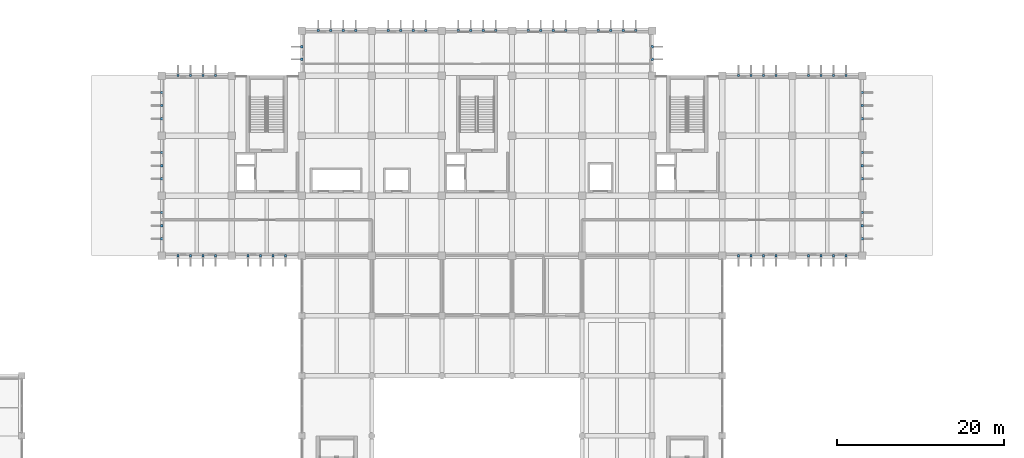
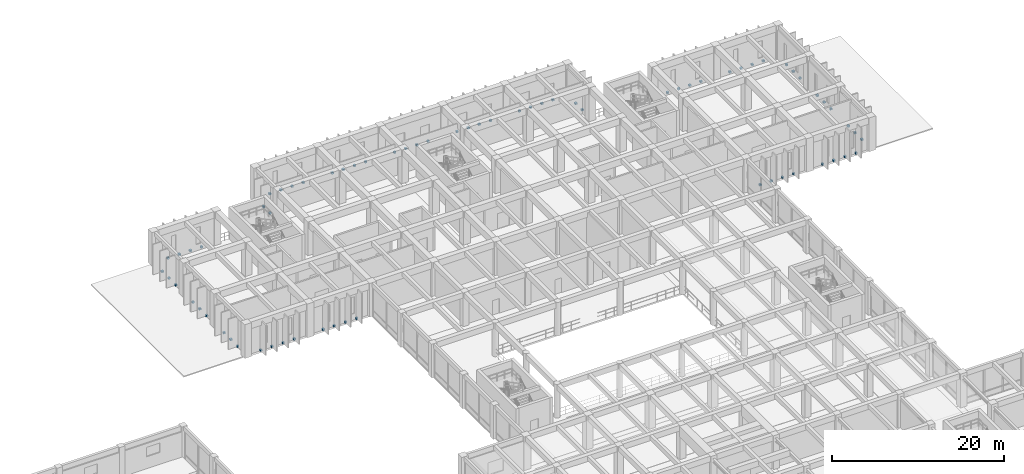
# One storey, part 42 of 52: 70 discrete accessories.
"""IFC4 building model written with IfcOpenShell, lengths in metres."""

from ifc_helpers import new_model, si_unit, direction, frame, origin, origin_2d, place, context, subcontext, project, spatial, rectangle, extrude, material, type_object, element, save


model = new_model("IFC4")

# Units and contexts
model_context = context("Model", 3, precision=1e-05, world=origin(), true_north=direction((0.0, 1.0)))
body_context = subcontext(model_context, "Body", "Model", "MODEL_VIEW")
ifc_project = project(units=[si_unit("LENGTHUNIT", "METRE"), si_unit("AREAUNIT", "SQUARE_METRE"), si_unit("VOLUMEUNIT", "CUBIC_METRE"), si_unit("PLANEANGLEUNIT", "RADIAN"), si_unit("MASSUNIT", "GRAM", prefix="KILO")], contexts=[model_context])

# Site, building, storey
site_placement = place(None, origin())
site = spatial("IfcSite", under=ifc_project, at=site_placement, CompositionType="ELEMENT")
building_placement = place(site_placement, origin())
building = spatial("IfcBuilding", under=site, at=building_placement, Name="Kenerak Square Central Library", CompositionType="ELEMENT")
storey_placement = place(building_placement, frame((0.0, 0.0, 4.800048828125)))
storey = spatial("IfcBuildingStorey", under=building, at=storey_placement, Name="L01", CompositionType="ELEMENT", Elevation=4.800048828125)

# Discrete accessories
ifc_material = material(Name="Steel S355", Category="steel")
discrete_accessory_type = type_object("IfcDiscreteAccessoryType", Name="Solar Fin Structural Cleat Bracket BRK-S355", PredefinedType="BRACKET", material=ifc_material)
for number, where, z_axis, x_axis, name in (
    (1, (64.85009765625, 88.800048828125, 0.0), (0.0, 0.0, 1.0), (-1.0, 0.0, 0.0), "Solar Fin Cleat Bracket BRK-01 L01 0001"),
    (2, (63.35009765625, 88.800048828125, 0.0), (0.0, 0.0, 1.0), (-1.0, 0.0, 0.0), "Solar Fin Cleat Bracket BRK-01 L01 0002"),
    (3, (61.85009765625, 88.800048828125, 0.0), (0.0, 0.0, 1.0), (-1.0, 0.0, 0.0), "Solar Fin Cleat Bracket BRK-01 L01 0003"),
    (4, (60.35009765625, 88.800048828125, 0.0), (0.0, 0.0, 1.0), (-1.0, 0.0, 0.0), "Solar Fin Cleat Bracket BRK-01 L01 0004"),
    (5, (56.449951171875, 88.800048828125, 0.0), (0.0, 0.0, 1.0), (-1.0, 0.0, 0.0), "Solar Fin Cleat Bracket BRK-01 L01 0005"),
    (6, (54.949951171875, 88.800048828125, 0.0), (0.0, 0.0, 1.0), (-1.0, 0.0, 0.0), "Solar Fin Cleat Bracket BRK-01 L01 0006"),
    (7, (53.449951171875, 88.800048828125, 0.0), (0.0, 0.0, 1.0), (-1.0, 0.0, 0.0), "Solar Fin Cleat Bracket BRK-01 L01 0007"),
    (8, (51.949951171875, 88.800048828125, 0.0), (0.0, 0.0, 1.0), (-1.0, 0.0, 0.0), "Solar Fin Cleat Bracket BRK-01 L01 0008"),
    (9, (50.0, 90.824951171875, 0.0), (0.0, 0.0, 1.0), (0.0, 1.0, 0.0), "Solar Fin Cleat Bracket BRK-01 L01 0009"),
    (10, (50.0, 92.39990234375, 0.0), (0.0, 0.0, 1.0), (0.0, 1.0, 0.0), "Solar Fin Cleat Bracket BRK-01 L01 0010"),
    (11, (50.0, 93.97509765625, 0.0), (0.0, 0.0, 1.0), (0.0, 1.0, 0.0), "Solar Fin Cleat Bracket BRK-01 L01 0011"),
    (12, (50.0, 98.02490234375, 0.0), (0.0, 0.0, 1.0), (0.0, 1.0, 0.0), "Solar Fin Cleat Bracket BRK-01 L01 0012"),
    (13, (50.0, 99.60009765625, 0.0), (0.0, 0.0, 1.0), (0.0, 1.0, 0.0), "Solar Fin Cleat Bracket BRK-01 L01 0013"),
    (14, (50.0, 101.175048828125, 0.0), (0.0, 0.0, 1.0), (0.0, 1.0, 0.0), "Solar Fin Cleat Bracket BRK-01 L01 0014"),
    (15, (50.0, 105.22509765625, 0.0), (0.0, 0.0, 1.0), (0.0, 1.0, 0.0), "Solar Fin Cleat Bracket BRK-01 L01 0015"),
    (16, (50.0, 106.800048828125, 0.0), (0.0, 0.0, 1.0), (0.0, 1.0, 0.0), "Solar Fin Cleat Bracket BRK-01 L01 0016"),
    (17, (50.0, 108.375, 0.0), (0.0, 0.0, 1.0), (0.0, 1.0, 0.0), "Solar Fin Cleat Bracket BRK-01 L01 0017"),
    (18, (51.949951171875, 110.39990234375, 0.0), (0.0, 0.0, 1.0), (1.0, 0.0, 0.0), "Solar Fin Cleat Bracket BRK-01 L01 0018"),
    (19, (53.449951171875, 110.39990234375, 0.0), (0.0, 0.0, 1.0), (1.0, 0.0, 0.0), "Solar Fin Cleat Bracket BRK-01 L01 0019"),
    (20, (54.949951171875, 110.39990234375, 0.0), (0.0, 0.0, 1.0), (1.0, 0.0, 0.0), "Solar Fin Cleat Bracket BRK-01 L01 0020"),
    (21, (56.449951171875, 110.39990234375, 0.0), (0.0, 0.0, 1.0), (1.0, 0.0, 0.0), "Solar Fin Cleat Bracket BRK-01 L01 0021"),
    (22, (66.800048828125, 112.35009765625, 0.0), (0.0, 0.0, 1.0), (0.0, 1.0, 0.0), "Solar Fin Cleat Bracket BRK-01 L01 0022"),
    (23, (66.800048828125, 113.85009765625, 0.0), (0.0, 0.0, 1.0), (0.0, 1.0, 0.0), "Solar Fin Cleat Bracket BRK-01 L01 0023"),
    (24, (68.75, 115.800048828125, 0.0), (0.0, 0.0, 1.0), (1.0, 0.0, 0.0), "Solar Fin Cleat Bracket BRK-01 L01 0024"),
    (25, (70.25, 115.800048828125, 0.0), (0.0, 0.0, 1.0), (1.0, 0.0, 0.0), "Solar Fin Cleat Bracket BRK-01 L01 0025"),
    (26, (71.75, 115.800048828125, 0.0), (0.0, 0.0, 1.0), (1.0, 0.0, 0.0), "Solar Fin Cleat Bracket BRK-01 L01 0026"),
    (27, (73.25, 115.800048828125, 0.0), (0.0, 0.0, 1.0), (1.0, 0.0, 0.0), "Solar Fin Cleat Bracket BRK-01 L01 0027"),
    (28, (77.14990234375, 115.800048828125, 0.0), (0.0, 0.0, 1.0), (1.0, 0.0, 0.0), "Solar Fin Cleat Bracket BRK-01 L01 0028"),
    (29, (78.64990234375, 115.800048828125, 0.0), (0.0, 0.0, 1.0), (1.0, 0.0, 0.0), "Solar Fin Cleat Bracket BRK-01 L01 0029"),
    (30, (80.14990234375, 115.800048828125, 0.0), (0.0, 0.0, 1.0), (1.0, 0.0, 0.0), "Solar Fin Cleat Bracket BRK-01 L01 0030"),
    (31, (81.64990234375, 115.800048828125, 0.0), (0.0, 0.0, 1.0), (1.0, 0.0, 0.0), "Solar Fin Cleat Bracket BRK-01 L01 0031"),
    (32, (85.550048828125, 115.800048828125, 0.0), (0.0, 0.0, 1.0), (1.0, 0.0, 0.0), "Solar Fin Cleat Bracket BRK-01 L01 0032"),
    (33, (87.050048828125, 115.800048828125, 0.0), (0.0, 0.0, 1.0), (1.0, 0.0, 0.0), "Solar Fin Cleat Bracket BRK-01 L01 0033"),
    (34, (88.550048828125, 115.800048828125, 0.0), (0.0, 0.0, 1.0), (1.0, 0.0, 0.0), "Solar Fin Cleat Bracket BRK-01 L01 0034"),
    (35, (90.050048828125, 115.800048828125, 0.0), (0.0, 0.0, 1.0), (1.0, 0.0, 0.0), "Solar Fin Cleat Bracket BRK-01 L01 0035"),
    (36, (93.949951171875, 115.800048828125, 0.0), (0.0, 0.0, 1.0), (1.0, 0.0, 0.0), "Solar Fin Cleat Bracket BRK-01 L01 0036"),
    (37, (95.449951171875, 115.800048828125, 0.0), (0.0, 0.0, 1.0), (1.0, 0.0, 0.0), "Solar Fin Cleat Bracket BRK-01 L01 0037"),
    (38, (96.949951171875, 115.800048828125, 0.0), (0.0, 0.0, 1.0), (1.0, 0.0, 0.0), "Solar Fin Cleat Bracket BRK-01 L01 0038"),
    (39, (98.449951171875, 115.800048828125, 0.0), (0.0, 0.0, 1.0), (1.0, 0.0, 0.0), "Solar Fin Cleat Bracket BRK-01 L01 0039"),
    (40, (102.35009765625, 115.800048828125, 0.0), (0.0, 0.0, 1.0), (1.0, 0.0, 0.0), "Solar Fin Cleat Bracket BRK-01 L01 0040"),
    (41, (103.85009765625, 115.800048828125, 0.0), (0.0, 0.0, 1.0), (1.0, 0.0, 0.0), "Solar Fin Cleat Bracket BRK-01 L01 0041"),
    (42, (105.35009765625, 115.800048828125, 0.0), (0.0, 0.0, 1.0), (1.0, 0.0, 0.0), "Solar Fin Cleat Bracket BRK-01 L01 0042"),
    (43, (106.85009765625, 115.800048828125, 0.0), (0.0, 0.0, 1.0), (1.0, 0.0, 0.0), "Solar Fin Cleat Bracket BRK-01 L01 0043"),
    (44, (108.800048828125, 113.85009765625, 0.0), (0.0, 0.0, 1.0), (0.0, -1.0, 0.0), "Solar Fin Cleat Bracket BRK-01 L01 0044"),
    (45, (108.800048828125, 112.35009765625, 0.0), (0.0, 0.0, 1.0), (0.0, -1.0, 0.0), "Solar Fin Cleat Bracket BRK-01 L01 0045"),
    (46, (119.14990234375, 110.39990234375, 0.0), (0.0, 0.0, 1.0), (1.0, 0.0, 0.0), "Solar Fin Cleat Bracket BRK-01 L01 0046"),
    (47, (120.64990234375, 110.39990234375, 0.0), (0.0, 0.0, 1.0), (1.0, 0.0, 0.0), "Solar Fin Cleat Bracket BRK-01 L01 0047"),
    (48, (122.14990234375, 110.39990234375, 0.0), (0.0, 0.0, 1.0), (1.0, 0.0, 0.0), "Solar Fin Cleat Bracket BRK-01 L01 0048"),
    (49, (123.64990234375, 110.39990234375, 0.0), (0.0, 0.0, 1.0), (1.0, 0.0, 0.0), "Solar Fin Cleat Bracket BRK-01 L01 0049"),
    (50, (127.550048828125, 110.39990234375, 0.0), (0.0, 0.0, 1.0), (1.0, 0.0, 0.0), "Solar Fin Cleat Bracket BRK-01 L01 0050"),
    (51, (129.050048828125, 110.39990234375, 0.0), (0.0, 0.0, 1.0), (1.0, 0.0, 0.0), "Solar Fin Cleat Bracket BRK-01 L01 0051"),
    (52, (130.550048828125, 110.39990234375, 0.0), (0.0, 0.0, 1.0), (1.0, 0.0, 0.0), "Solar Fin Cleat Bracket BRK-01 L01 0052"),
    (53, (132.050048828125, 110.39990234375, 0.0), (0.0, 0.0, 1.0), (1.0, 0.0, 0.0), "Solar Fin Cleat Bracket BRK-01 L01 0053"),
    (54, (134.0, 108.375, 0.0), (0.0, 0.0, 1.0), (0.0, -1.0, 0.0), "Solar Fin Cleat Bracket BRK-01 L01 0054"),
    (55, (134.0, 106.800048828125, 0.0), (0.0, 0.0, 1.0), (0.0, -1.0, 0.0), "Solar Fin Cleat Bracket BRK-01 L01 0055"),
    (56, (134.0, 105.22509765625, 0.0), (0.0, 0.0, 1.0), (0.0, -1.0, 0.0), "Solar Fin Cleat Bracket BRK-01 L01 0056"),
    (57, (134.0, 101.175048828125, 0.0), (0.0, 0.0, 1.0), (0.0, -1.0, 0.0), "Solar Fin Cleat Bracket BRK-01 L01 0057"),
    (58, (134.0, 99.60009765625, 0.0), (0.0, 0.0, 1.0), (0.0, -1.0, 0.0), "Solar Fin Cleat Bracket BRK-01 L01 0058"),
    (59, (134.0, 98.02490234375, 0.0), (0.0, 0.0, 1.0), (0.0, -1.0, 0.0), "Solar Fin Cleat Bracket BRK-01 L01 0059"),
    (60, (134.0, 93.97509765625, 0.0), (0.0, 0.0, 1.0), (0.0, -1.0, 0.0), "Solar Fin Cleat Bracket BRK-01 L01 0060"),
    (61, (134.0, 92.39990234375, 0.0), (0.0, 0.0, 1.0), (0.0, -1.0, 0.0), "Solar Fin Cleat Bracket BRK-01 L01 0061"),
    (62, (134.0, 90.824951171875, 0.0), (0.0, 0.0, 1.0), (0.0, -1.0, 0.0), "Solar Fin Cleat Bracket BRK-01 L01 0062"),
    (63, (132.050048828125, 88.800048828125, 0.0), (0.0, 0.0, 1.0), (-1.0, 0.0, 0.0), "Solar Fin Cleat Bracket BRK-01 L01 0063"),
    (64, (130.550048828125, 88.800048828125, 0.0), (0.0, 0.0, 1.0), (-1.0, 0.0, 0.0), "Solar Fin Cleat Bracket BRK-01 L01 0064"),
    (65, (129.050048828125, 88.800048828125, 0.0), (0.0, 0.0, 1.0), (-1.0, 0.0, 0.0), "Solar Fin Cleat Bracket BRK-01 L01 0065"),
    (66, (127.550048828125, 88.800048828125, 0.0), (0.0, 0.0, 1.0), (-1.0, 0.0, 0.0), "Solar Fin Cleat Bracket BRK-01 L01 0066"),
    (67, (123.64990234375, 88.800048828125, 0.0), (0.0, 0.0, 1.0), (-1.0, 0.0, 0.0), "Solar Fin Cleat Bracket BRK-01 L01 0067"),
    (68, (122.14990234375, 88.800048828125, 0.0), (0.0, 0.0, 1.0), (-1.0, 0.0, 0.0), "Solar Fin Cleat Bracket BRK-01 L01 0068"),
    (69, (120.64990234375, 88.800048828125, 0.0), (0.0, 0.0, 1.0), (-1.0, 0.0, 0.0), "Solar Fin Cleat Bracket BRK-01 L01 0069"),
    (70, (119.14990234375, 88.800048828125, 0.0), (0.0, 0.0, 1.0), (-1.0, 0.0, 0.0), "Solar Fin Cleat Bracket BRK-01 L01 0070"),
):
    element("IfcDiscreteAccessory", number, at=place(storey_placement, frame(where, z_axis=z_axis, x_axis=x_axis)), inside=storey, type_object=discrete_accessory_type, Name=name, PredefinedType="BRACKET", context=body_context, shape_type="SweptSolid", body=[
        extrude(rectangle(XDim=0.280029296875, YDim=0.280029296875, at=origin_2d()), origin(), (0.0, 0.0, 1.0), 0.239990234375),
    ])

save(model, "model.ifc")
